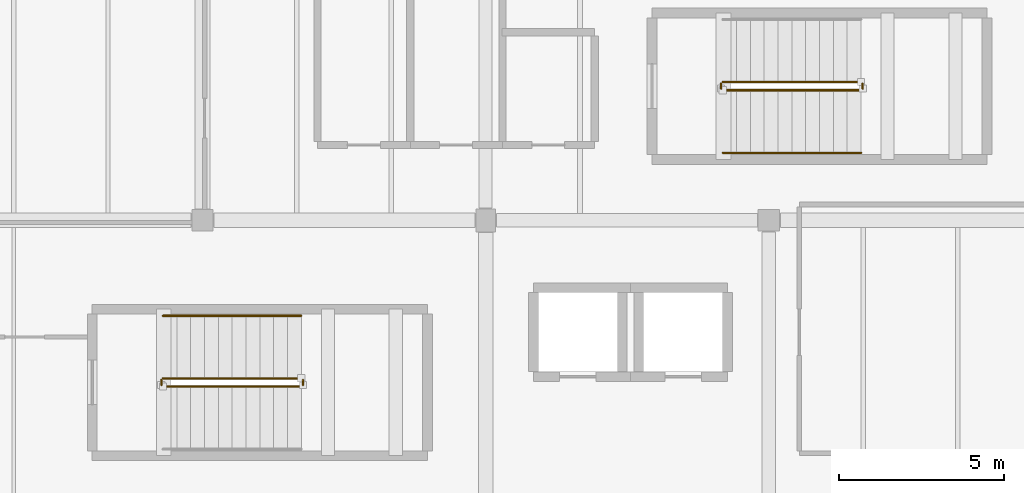
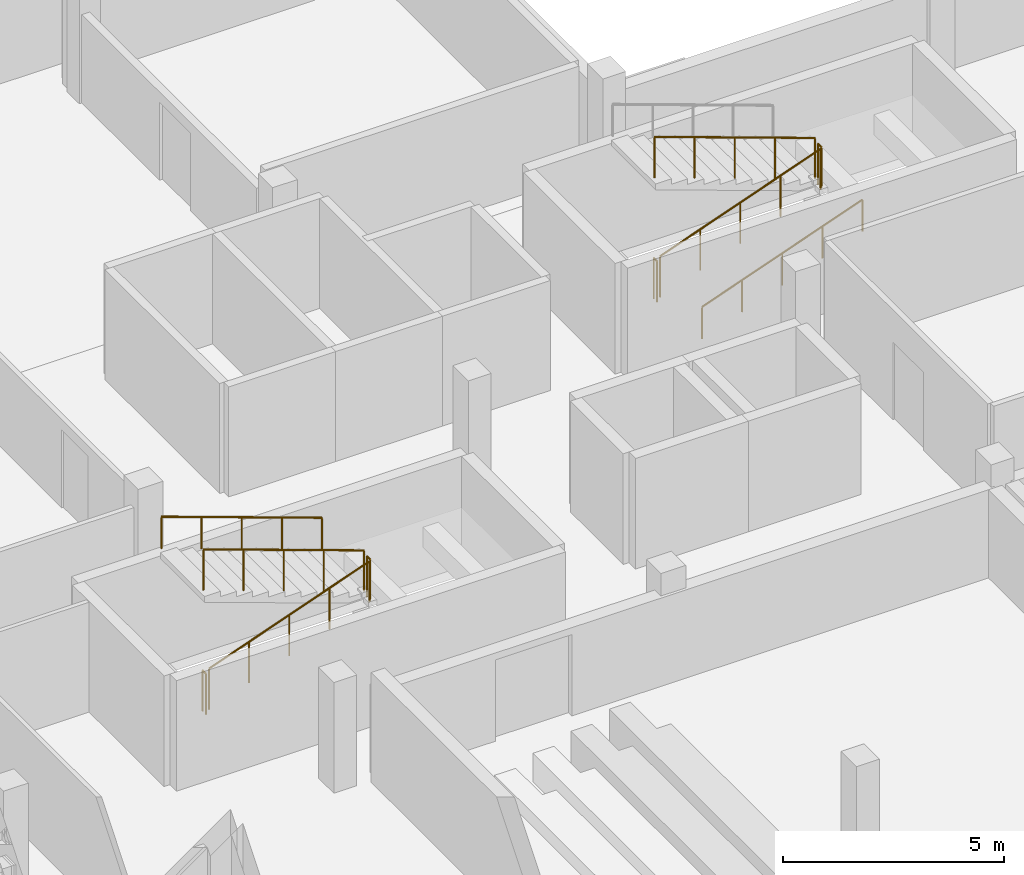
# One storey, part 31 of 34: 10 railings.
"""IFC4 building model written with IfcOpenShell, lengths in metres."""

from ifc_helpers import new_model, si_unit, direction, frame, origin, origin_2d, place, context, subcontext, project, spatial, circle, extrude, material, layer, layer_set, type_object, element, save


model = new_model("IFC4")

# Units and contexts
model_context = context("Model", 3, precision=1e-05, world=origin(), true_north=direction((0.0, 1.0)))
body_context = subcontext(model_context, "Body", "Model", "MODEL_VIEW")
ifc_project = project(units=[si_unit("LENGTHUNIT", "METRE"), si_unit("AREAUNIT", "SQUARE_METRE"), si_unit("VOLUMEUNIT", "CUBIC_METRE"), si_unit("PLANEANGLEUNIT", "RADIAN"), si_unit("MASSUNIT", "GRAM", prefix="KILO")], contexts=[model_context])

# Site, building, storey
site_placement = place(None, origin())
site = spatial("IfcSite", under=ifc_project, at=site_placement, CompositionType="ELEMENT")
building_placement = place(site_placement, origin())
building = spatial("IfcBuilding", under=site, at=building_placement, Name="Varnakota Cinema and Media Centre", CompositionType="ELEMENT")
storey_placement = place(building_placement, frame((0.0, 0.0, 19.050048828125)))
storey = spatial("IfcBuildingStorey", under=building, at=storey_placement, Name="L05", CompositionType="ELEMENT", Elevation=19.050048828125)

# Railings
ifc_material_1 = material(Name="Structural steel Grade 350 (E350)", Category="steel")
ifc_layer_1 = layer(ifc_material_1, 0.050048828125)
ifc_layer_set_1 = layer_set([ifc_layer_1], Name="Structural steel Grade 350 (E350)")
railing_type_1 = type_object("IfcRailingType", Name="RAIL-STAIR-GUARD-1150", PredefinedType="GUARDRAIL", material=ifc_layer_set_1)
railing_1_placement = place(storey_placement, frame((7.39990234375, 21.35009765625, 0.14990234375)))
element("IfcRailing", 1, at=railing_1_placement, inside=storey, type_object=railing_type_1, Name="L05 ST-01 stair guard 1", PredefinedType="GUARDRAIL", context=body_context, shape_type="SweptSolid", body=[
    extrude(circle(Radius=0.02392578125, at=origin_2d()), frame((0.0, 0.0, 1.1259765625), z_axis=(0.941746865338, 0.0, 0.336322526194), x_axis=(0.0, 1.0, 0.0)), (0.0, 0.0, 1.0), 4.4599609375),
    extrude(circle(Radius=0.02099609375, at=origin_2d()), origin(), (0.0, 0.0, 1.0), 1.101806640625),
    extrude(circle(Radius=0.02099609375, at=origin_2d()), frame((1.050048828125, 0.0, 0.375)), (0.0, 0.0, 1.0), 1.101806640625),
    extrude(circle(Radius=0.02099609375, at=origin_2d()), frame((2.10009765625, 0.0, 0.75)), (0.0, 0.0, 1.0), 1.101806640625),
    extrude(circle(Radius=0.02099609375, at=origin_2d()), frame((3.150146484375, 0.0, 1.125)), (0.0, 0.0, 1.0), 1.101806640625),
    extrude(circle(Radius=0.02099609375, at=origin_2d()), frame((4.2001953125, 0.0, 1.5)), (0.0, 0.0, 1.0), 1.101806640625),
])
railing_2_placement = place(storey_placement, frame((11.64990234375, 21.39990234375, 1.64990234375)))
element("IfcRailing", 2, at=railing_2_placement, inside=storey, type_object=railing_type_1, Name="L05 ST-01 stair guard 2", PredefinedType="GUARDRAIL", context=body_context, shape_type="SweptSolid", body=[
    extrude(circle(Radius=0.02392578125, at=origin_2d()), frame((0.0, 0.0, 1.1259765625), z_axis=(0.0, 1.0, 0.0), x_axis=(-1.0, 0.0, 0.0)), (0.0, 0.0, 1.0), 0.150146484375),
    extrude(circle(Radius=0.02099609375, at=origin_2d()), origin(), (0.0, 0.0, 1.0), 1.101806640625),
    extrude(circle(Radius=0.02099609375, at=origin_2d()), frame((0.0, 0.150146484375, 0.0)), (0.0, 0.0, 1.0), 1.101806640625),
])
railing_3_placement = place(storey_placement, frame((11.60009765625, 21.60009765625, 1.800048828125)))
element("IfcRailing", 3, at=railing_3_placement, inside=storey, type_object=railing_type_1, Name="L05 ST-01 stair guard 3", PredefinedType="GUARDRAIL", context=body_context, shape_type="SweptSolid", body=[
    extrude(circle(Radius=0.02392578125, at=origin_2d()), frame((0.0, 0.0, 1.1259765625), z_axis=(-0.941746865338, 0.0, 0.336322526194), x_axis=(0.0, -1.0, 0.0)), (0.0, 0.0, 1.0), 4.4599609375),
    extrude(circle(Radius=0.02099609375, at=origin_2d()), origin(), (0.0, 0.0, 1.0), 1.101806640625),
    extrude(circle(Radius=0.02099609375, at=origin_2d()), frame((-1.050048828125, 0.0, 0.375)), (0.0, 0.0, 1.0), 1.101806640625),
    extrude(circle(Radius=0.02099609375, at=origin_2d()), frame((-2.10009765625, 0.0, 0.75)), (0.0, 0.0, 1.0), 1.101806640625),
    extrude(circle(Radius=0.02099609375, at=origin_2d()), frame((-3.150146484375, 0.0, 1.125)), (0.0, 0.0, 1.0), 1.101806640625),
    extrude(circle(Radius=0.02099609375, at=origin_2d()), frame((-4.2001953125, 0.0, 1.5)), (0.0, 0.0, 1.0), 1.101806640625),
])
railing_4_placement = place(storey_placement, frame((7.35009765625, 21.39990234375, 0.0)))
element("IfcRailing", 4, at=railing_4_placement, inside=storey, type_object=railing_type_1, Name="L05 ST-01 stair guard 4", PredefinedType="GUARDRAIL", context=body_context, shape_type="SweptSolid", body=[
    extrude(circle(Radius=0.02392578125, at=origin_2d()), frame((0.0, 0.0, 1.1259765625), z_axis=(0.0, 1.0, 0.0), x_axis=(-1.0, 0.0, 0.0)), (0.0, 0.0, 1.0), 0.150146484375),
    extrude(circle(Radius=0.02099609375, at=origin_2d()), origin(), (0.0, 0.0, 1.0), 1.101806640625),
    extrude(circle(Radius=0.02099609375, at=origin_2d()), frame((0.0, 0.150146484375, 0.0)), (0.0, 0.0, 1.0), 1.101806640625),
])
railing_5_placement = place(storey_placement, frame((24.39990234375, 30.35009765625, 0.14990234375)))
element("IfcRailing", 5, at=railing_5_placement, inside=storey, type_object=railing_type_1, Name="L05 ST-02 stair guard 1", PredefinedType="GUARDRAIL", context=body_context, shape_type="SweptSolid", body=[
    extrude(circle(Radius=0.02392578125, at=origin_2d()), frame((0.0, 0.0, 1.1259765625), z_axis=(0.941746865338, 0.0, 0.336322526194), x_axis=(0.0, 1.0, 0.0)), (0.0, 0.0, 1.0), 4.4599609375),
    extrude(circle(Radius=0.02099609375, at=origin_2d()), origin(), (0.0, 0.0, 1.0), 1.101806640625),
    extrude(circle(Radius=0.02099609375, at=origin_2d()), frame((1.050048828125, 0.0, 0.375)), (0.0, 0.0, 1.0), 1.101806640625),
    extrude(circle(Radius=0.02099609375, at=origin_2d()), frame((2.10009765625, 0.0, 0.75)), (0.0, 0.0, 1.0), 1.101806640625),
    extrude(circle(Radius=0.02099609375, at=origin_2d()), frame((3.150146484375, 0.0, 1.125)), (0.0, 0.0, 1.0), 1.101806640625),
    extrude(circle(Radius=0.02099609375, at=origin_2d()), frame((4.2001953125, 0.0, 1.5)), (0.0, 0.0, 1.0), 1.101806640625),
])
railing_6_placement = place(storey_placement, frame((28.64990234375, 30.39990234375, 1.64990234375)))
element("IfcRailing", 6, at=railing_6_placement, inside=storey, type_object=railing_type_1, Name="L05 ST-02 stair guard 2", PredefinedType="GUARDRAIL", context=body_context, shape_type="SweptSolid", body=[
    extrude(circle(Radius=0.02392578125, at=origin_2d()), frame((0.0, 0.0, 1.1259765625), z_axis=(0.0, 1.0, 0.0), x_axis=(-1.0, 0.0, 0.0)), (0.0, 0.0, 1.0), 0.150146484375),
    extrude(circle(Radius=0.02099609375, at=origin_2d()), origin(), (0.0, 0.0, 1.0), 1.101806640625),
    extrude(circle(Radius=0.02099609375, at=origin_2d()), frame((0.0, 0.150146484375, 0.0)), (0.0, 0.0, 1.0), 1.101806640625),
])
railing_7_placement = place(storey_placement, frame((28.60009765625, 30.60009765625, 1.800048828125)))
element("IfcRailing", 7, at=railing_7_placement, inside=storey, type_object=railing_type_1, Name="L05 ST-02 stair guard 3", PredefinedType="GUARDRAIL", context=body_context, shape_type="SweptSolid", body=[
    extrude(circle(Radius=0.02392578125, at=origin_2d()), frame((0.0, 0.0, 1.1259765625), z_axis=(-0.941746865338, 0.0, 0.336322526194), x_axis=(0.0, -1.0, 0.0)), (0.0, 0.0, 1.0), 4.4599609375),
    extrude(circle(Radius=0.02099609375, at=origin_2d()), origin(), (0.0, 0.0, 1.0), 1.101806640625),
    extrude(circle(Radius=0.02099609375, at=origin_2d()), frame((-1.050048828125, 0.0, 0.375)), (0.0, 0.0, 1.0), 1.101806640625),
    extrude(circle(Radius=0.02099609375, at=origin_2d()), frame((-2.10009765625, 0.0, 0.75)), (0.0, 0.0, 1.0), 1.101806640625),
    extrude(circle(Radius=0.02099609375, at=origin_2d()), frame((-3.150146484375, 0.0, 1.125)), (0.0, 0.0, 1.0), 1.101806640625),
    extrude(circle(Radius=0.02099609375, at=origin_2d()), frame((-4.2001953125, 0.0, 1.5)), (0.0, 0.0, 1.0), 1.101806640625),
])
railing_8_placement = place(storey_placement, frame((24.35009765625, 30.39990234375, 0.0)))
element("IfcRailing", 8, at=railing_8_placement, inside=storey, type_object=railing_type_1, Name="L05 ST-02 stair guard 4", PredefinedType="GUARDRAIL", context=body_context, shape_type="SweptSolid", body=[
    extrude(circle(Radius=0.02392578125, at=origin_2d()), frame((0.0, 0.0, 1.1259765625), z_axis=(0.0, 1.0, 0.0), x_axis=(-1.0, 0.0, 0.0)), (0.0, 0.0, 1.0), 0.150146484375),
    extrude(circle(Radius=0.02099609375, at=origin_2d()), origin(), (0.0, 0.0, 1.0), 1.101806640625),
    extrude(circle(Radius=0.02099609375, at=origin_2d()), frame((0.0, 0.150146484375, 0.0)), (0.0, 0.0, 1.0), 1.101806640625),
])
ifc_material_2 = material(Name="Structural steel Grade 350 (E350)", Category="steel")
ifc_layer_2 = layer(ifc_material_2, 0.048095703125)
ifc_layer_set_2 = layer_set([ifc_layer_2], Name="Structural steel Grade 350 (E350)")
railing_type_2 = type_object("IfcRailingType", Name="RAIL-STAIR-HAND-900", PredefinedType="HANDRAIL", material=ifc_layer_set_2)
railing_9_placement = place(storey_placement, frame((11.60009765625, 23.5, 1.800048828125)))
element("IfcRailing", 9, at=railing_9_placement, inside=storey, type_object=railing_type_2, Name="L05 ST-01 stair handrail 2", PredefinedType="HANDRAIL", context=body_context, shape_type="SweptSolid", body=[
    extrude(circle(Radius=0.02392578125, at=origin_2d()), frame((0.0, 0.0, 0.8759765625), z_axis=(-0.941746865338, 0.0, 0.336322526194), x_axis=(0.0, -1.0, 0.0)), (0.0, 0.0, 1.0), 4.4599609375),
    extrude(circle(Radius=0.02099609375, at=origin_2d()), origin(), (0.0, 0.0, 1.0), 0.851806640625),
    extrude(circle(Radius=0.02099609375, at=origin_2d()), frame((-1.050048828125, 0.0, 0.375)), (0.0, 0.0, 1.0), 0.851806640625),
    extrude(circle(Radius=0.02099609375, at=origin_2d()), frame((-2.10009765625, 0.0, 0.75)), (0.0, 0.0, 1.0), 0.851806640625),
    extrude(circle(Radius=0.02099609375, at=origin_2d()), frame((-3.150146484375, 0.0, 1.125)), (0.0, 0.0, 1.0), 0.851806640625),
    extrude(circle(Radius=0.02099609375, at=origin_2d()), frame((-4.2001953125, 0.0, 1.5)), (0.0, 0.0, 1.0), 0.851806640625),
])
railing_10_placement = place(storey_placement, frame((24.39990234375, 28.449951171875, 0.14990234375)))
element("IfcRailing", 10, at=railing_10_placement, inside=storey, type_object=railing_type_2, Name="L05 ST-02 stair handrail 1", PredefinedType="HANDRAIL", context=body_context, shape_type="SweptSolid", body=[
    extrude(circle(Radius=0.02392578125, at=origin_2d()), frame((0.0, 0.0, 0.8759765625), z_axis=(0.941746865338, 0.0, 0.336322526194), x_axis=(0.0, 1.0, 0.0)), (0.0, 0.0, 1.0), 4.4599609375),
    extrude(circle(Radius=0.02099609375, at=origin_2d()), origin(), (0.0, 0.0, 1.0), 0.851806640625),
    extrude(circle(Radius=0.02099609375, at=origin_2d()), frame((1.050048828125, 0.0, 0.375)), (0.0, 0.0, 1.0), 0.851806640625),
    extrude(circle(Radius=0.02099609375, at=origin_2d()), frame((2.10009765625, 0.0, 0.75)), (0.0, 0.0, 1.0), 0.851806640625),
    extrude(circle(Radius=0.02099609375, at=origin_2d()), frame((3.150146484375, 0.0, 1.125)), (0.0, 0.0, 1.0), 0.851806640625),
    extrude(circle(Radius=0.02099609375, at=origin_2d()), frame((4.2001953125, 0.0, 1.5)), (0.0, 0.0, 1.0), 0.851806640625),
])

save(model, "model.ifc")
